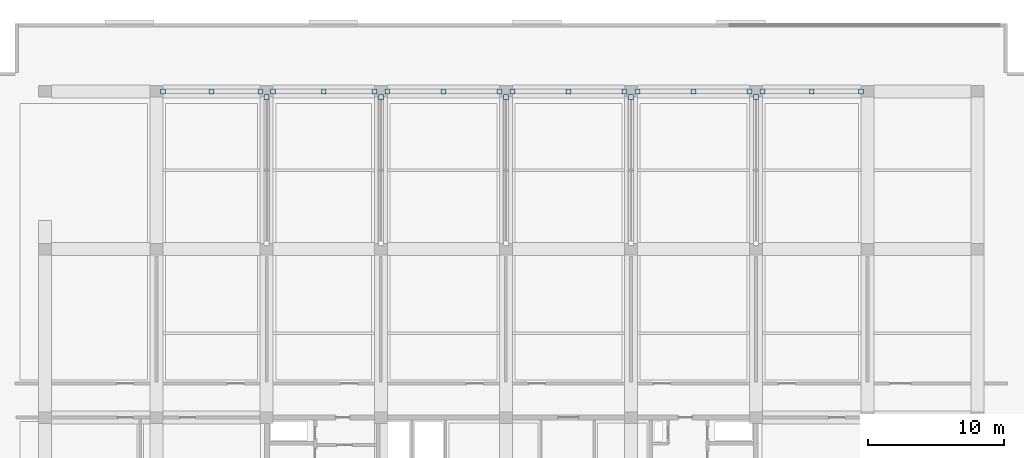
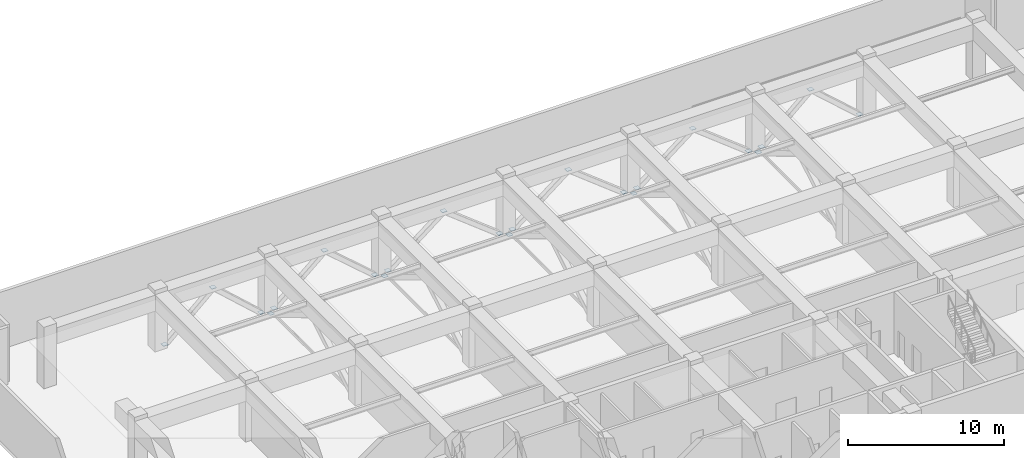
# One storey, part 6 of 22: 23 plates.
"""IFC4 building model written with IfcOpenShell, lengths in metres."""

import ifcopenshell
import ifcopenshell.guid

model = None  # the IFC model being written
_history = None  # IfcOwnerHistory: only IFC2X3 demands one
_inside = {}  # id of a spatial element -> (the spatial element, [elements in it])
_under = {}  # id of a project, library or spatial element -> (it, [spatial elements below it])
_declared = {}  # id of a project -> (the project, [libraries it declares])
_typed = {}  # id of a type object -> (the type object, [elements of that type])
_made_of = {}  # id of a material, layer set ... -> (it, [elements and type objects made of it])


def new_model(schema):
    """Start an empty IFC model of exactly this schema.

    Asked for "IFC4X3", IfcOpenShell would pick the latest addendum, in which some entities
    have other attributes; the version numbers below select the first issue.
    IFC2X3 requires an IfcOwnerHistory on every rooted entity: one is made here for all.
    """
    global model, _history
    if schema == "IFC4X3":
        model = ifcopenshell.file(schema_version=(4, 3, 0, 0))
    else:
        model = ifcopenshell.file(schema=schema)
    _inside.clear()
    _under.clear()
    _declared.clear()
    _typed.clear()
    _made_of.clear()
    _history = None
    if model.schema == "IFC2X3":
        org = make("IfcOrganization", Name="unknown")
        user = make(
            "IfcPersonAndOrganization",
            ThePerson=make("IfcPerson", FamilyName="unknown"),
            TheOrganization=org,
        )
        app = make(
            "IfcApplication",
            ApplicationDeveloper=org,
            Version="unknown",
            ApplicationFullName="unknown",
            ApplicationIdentifier="unknown",
        )
        _history = make(
            "IfcOwnerHistory",
            OwningUser=user,
            OwningApplication=app,
            ChangeAction="ADDED",
            CreationDate=0,
        )
    return model


def make(cls, **values):
    """One entity of the class cls with the attributes given. An attribute that is None is left unset."""
    return model.create_entity(
        cls, **{name: value for name, value in values.items() if value is not None}
    )


def rooted(cls, **values):
    """An entity with a GlobalId (a new one), such as an element, a storey or a relation."""
    return make(cls, GlobalId=ifcopenshell.guid.new(), OwnerHistory=_history, **values)


def si_unit(unit_type, name, prefix=None):
    """IfcSIUnit, for example si_unit("LENGTHUNIT", "METRE", prefix="MILLI")."""
    return make("IfcSIUnit", UnitType=unit_type, Prefix=prefix, Name=name)


def assignment(units):
    """IfcUnitAssignment: the units of a project."""
    return None if units is None else make("IfcUnitAssignment", Units=units)


def point(xyz):
    """IfcCartesianPoint."""
    return None if xyz is None else make("IfcCartesianPoint", Coordinates=xyz)


def direction(xyz):
    """IfcDirection."""
    return None if xyz is None else make("IfcDirection", DirectionRatios=xyz)


def frame(location, z_axis=None, x_axis=None):
    """IfcAxis2Placement3D, a coordinate frame: its origin and axes. An axis left out is left unset."""
    return make(
        "IfcAxis2Placement3D",
        Location=point(location),
        Axis=direction(z_axis),
        RefDirection=direction(x_axis),
    )


def frame_2d(location, x_axis=None):
    """IfcAxis2Placement2D, a coordinate frame in the plane: its origin and x axis."""
    return make(
        "IfcAxis2Placement2D", Location=point(location), RefDirection=direction(x_axis)
    )


def origin():
    """The frame at (0, 0, 0) with its axes left unset."""
    return frame((0.0, 0.0, 0.0))


def origin_2d():
    """The frame at (0, 0) in the plane with its x axis left unset."""
    return frame_2d((0.0, 0.0))


def place(relative_to, where):
    """IfcLocalPlacement: puts the frame where relative to a parent placement (None: the world)."""
    return make(
        "IfcLocalPlacement", PlacementRelTo=relative_to, RelativePlacement=where
    )


def context(
    kind, dimensions, precision=None, world=None, true_north=None, identifier=None
):
    """IfcGeometricRepresentationContext, for example the 3D "Model" context."""
    return make(
        "IfcGeometricRepresentationContext",
        ContextIdentifier=identifier,
        ContextType=kind,
        CoordinateSpaceDimension=dimensions,
        Precision=precision,
        WorldCoordinateSystem=world,
        TrueNorth=true_north,
    )


def subcontext(parent, identifier, kind, view, scale=None):
    """IfcGeometricRepresentationSubContext, for example "Body" below "Model"."""
    return make(
        "IfcGeometricRepresentationSubContext",
        ContextIdentifier=identifier,
        ContextType=kind,
        ParentContext=parent,
        TargetScale=scale,
        TargetView=view,
    )


def project(units=None, contexts=None):
    """IfcProject with its units and contexts."""
    return rooted(
        "IfcProject",
        Name="project",
        RepresentationContexts=contexts,
        UnitsInContext=assignment(units),
    )


def spatial(cls, under=None, at=None, **own):
    """A site, building, storey or space (cls), placed at a placement, below another one or the project."""
    s = rooted(cls, ObjectPlacement=at, **own)
    if under is not None:
        _under.setdefault(under.id(), (under, []))[1].append(s)
    return s


def profile(cls, at=None, kind="AREA", **sizes):
    """A parametric profile (cls). Its sizes go by their IFC names, for example OverallWidth=200.0."""
    return make(cls, ProfileType=kind, Position=at, **sizes)


def rectangle(**sizes):
    """IfcRectangleProfileDef."""
    return profile("IfcRectangleProfileDef", **sizes)


def extrude(swept, where, along, depth):
    """IfcExtrudedAreaSolid: the profile swept, set in the frame where, extruded along a direction by depth."""
    return make(
        "IfcExtrudedAreaSolid",
        SweptArea=swept,
        Position=where,
        ExtrudedDirection=direction(along),
        Depth=depth,
    )


def shape(context_of_items, identifier, shape_type, items):
    """IfcShapeRepresentation: the items that make up one representation, for example the "Body"."""
    return make(
        "IfcShapeRepresentation",
        ContextOfItems=context_of_items,
        RepresentationIdentifier=identifier,
        RepresentationType=shape_type,
        Items=items,
    )


def material(Name=None, Category=None):
    """IfcMaterial."""
    return make("IfcMaterial", Name=Name, Category=Category)


def layer(
    of_material, thickness, ventilated=None, Name=None, Category=None, Priority=None
):
    """IfcMaterialLayer: one layer of a wall or slab, of a material (None: an air gap)."""
    return make(
        "IfcMaterialLayer",
        Material=of_material,
        LayerThickness=thickness,
        IsVentilated=ventilated,
        Name=Name,
        Category=Category,
        Priority=Priority,
    )


def layer_set(layers, Name=None):
    """IfcMaterialLayerSet."""
    return make("IfcMaterialLayerSet", MaterialLayers=layers, LayerSetName=Name)


def made_of(thing, what):
    """Note that an element or type object is made of a material, layer set ...; save() writes the relation."""
    if what is not None:
        _made_of.setdefault(what.id(), (what, []))[1].append(thing)
    return thing


def type_object(cls, material=None, **own):
    """A type object (cls), such as IfcWallType, which elements share."""
    return made_of(rooted(cls, **own), material)


def element(
    cls,
    number,
    at=None,
    inside=None,
    cuts=None,
    type_object=None,
    material=None,
    context=None,
    identifier="Body",
    shape_type=None,
    held_by="IfcProductDefinitionShape",
    body=None,
    shapes=None,
    **own,
):
    """One element of the class cls, such as IfcWall. Its Tag is "e" and its number.

    at: its placement. inside: the storey or other place that contains it. cuts: it is an
    opening in that element (IfcRelVoidsElement). A single representation is given by context,
    identifier, shape_type and body (its items); several are given by shapes. held_by: the class
    of the entity that holds the representations. save() writes the other relations.
    """
    e = rooted(cls, Tag="e%d" % number, ObjectPlacement=at, **own)
    if body is not None:
        shapes = [shape(context, identifier, shape_type, body)]
    if shapes is not None:
        e.Representation = make(held_by, Representations=shapes)
    if inside is not None:
        _inside.setdefault(inside.id(), (inside, []))[1].append(e)
    if cuts is not None:
        rooted(
            "IfcRelVoidsElement", RelatingBuildingElement=cuts, RelatedOpeningElement=e
        )
    if type_object is not None:
        _typed.setdefault(type_object.id(), (type_object, []))[1].append(e)
    return made_of(e, material)


def aggregate(whole, parts):
    """IfcRelAggregates: a whole, such as a stair, and the parts it consists of."""
    return rooted("IfcRelAggregates", RelatingObject=whole, RelatedObjects=parts)


def save(model, path):
    """Write the relations noted so far, then the file.

    IfcRelAggregates (storeys below a building ...), IfcRelContainedInSpatialStructure (elements
    in a storey), IfcRelDefinesByType, IfcRelAssociatesMaterial and IfcRelDeclares: one each for
    every whole, place, type object, material and project.
    """
    for whole, parts in _under.values():
        aggregate(whole, parts)
    for where, things in _inside.values():
        rooted(
            "IfcRelContainedInSpatialStructure",
            RelatedElements=things,
            RelatingStructure=where,
        )
    for kind, things in _typed.values():
        rooted("IfcRelDefinesByType", RelatedObjects=things, RelatingType=kind)
    for what, things in _made_of.values():
        rooted("IfcRelAssociatesMaterial", RelatedObjects=things, RelatingMaterial=what)
    for by, libraries in _declared.values():
        rooted("IfcRelDeclares", RelatingContext=by, RelatedDefinitions=libraries)
    model.write(path)


model = new_model("IFC4")

# Units and contexts
model_context = context("Model", 3, precision=1e-05, world=origin(), true_north=direction((0.0, 1.0)))
body_context = subcontext(model_context, "Body", "Model", "MODEL_VIEW")
ifc_project = project(units=[si_unit("LENGTHUNIT", "METRE"), si_unit("AREAUNIT", "SQUARE_METRE"), si_unit("VOLUMEUNIT", "CUBIC_METRE"), si_unit("PLANEANGLEUNIT", "RADIAN"), si_unit("MASSUNIT", "GRAM", prefix="KILO")], contexts=[model_context])

# Site, building, storey
site_placement = place(None, origin())
site = spatial("IfcSite", under=ifc_project, at=site_placement, CompositionType="ELEMENT")
building_placement = place(site_placement, origin())
building = spatial("IfcBuilding", under=site, at=building_placement, Name="Korimba Cascade Residences", CompositionType="ELEMENT")
storey_placement = place(building_placement, frame((0.0, 0.0, 157.300048828125)))
storey = spatial("IfcBuildingStorey", under=building, at=storey_placement, Name="L45", CompositionType="ELEMENT", Elevation=157.300048828125)

# Plates
ifc_material = material(Name="Steel S460", Category="steel")
ifc_layer = layer(ifc_material, 0.028076171875)
ifc_layer_set = layer_set([ifc_layer], Name="Steel S460")
plate_type = type_object("IfcPlateType", Name="PLT-ENDCAP-28", PredefinedType="USERDEFINED", material=ifc_layer_set)
for number, where, z_axis, x_axis, name in (
    (1, (76.10009765625, 90.77490234375, 0.005859375), (0.0, 0.0, 1.0), (1.0, 0.0, 0.0), "L45 Brace Welded End Connection Plate 95"),
    (2, (84.5, 90.77490234375, 0.005859375), (0.0, 0.0, 1.0), (1.0, 0.0, 0.0), "L45 Brace Welded End Connection Plate 97"),
    (3, (93.699951171875, 90.77490234375, 0.005859375), (0.0, 0.0, 1.0), (1.0, 0.0, 0.0), "L45 Brace Welded End Connection Plate 99"),
    (4, (102.89990234375, 90.77490234375, 0.005859375), (0.0, 0.0, 1.0), (1.0, 0.0, 0.0), "L45 Brace Welded End Connection Plate 101"),
    (5, (112.10009765625, 90.77490234375, 0.005859375), (0.0, 0.0, 1.0), (1.0, 0.0, 0.0), "L45 Brace Welded End Connection Plate 103"),
    (6, (68.47509765625, 91.199951171875, 0.005859375), (0.0, 0.0, 1.0), (1.0, 0.0, 0.0), "L45 Brace Welded End Connection Plate 104"),
    (7, (72.050048828125, 91.199951171875, 3.2158203125), (0.0, 0.0, 1.0), (1.0, 0.0, 0.0), "L45 Brace Welded End Connection Plate 105"),
    (8, (75.625, 91.199951171875, 0.005859375), (0.0, 0.0, 1.0), (1.0, 0.0, 0.0), "L45 Brace Welded End Connection Plate 106"),
    (9, (76.574951171875, 91.199951171875, 0.005859375), (0.0, 0.0, 1.0), (1.0, 0.0, 0.0), "L45 Brace Welded End Connection Plate 107"),
    (10, (80.300048828125, 91.199951171875, 3.2158203125), (0.0, 0.0, 1.0), (1.0, 0.0, 0.0), "L45 Brace Welded End Connection Plate 108"),
    (11, (84.02490234375, 91.199951171875, 0.005859375), (0.0, 0.0, 1.0), (1.0, 0.0, 0.0), "L45 Brace Welded End Connection Plate 109"),
    (12, (84.97509765625, 91.199951171875, 0.005859375), (0.0, 0.0, 1.0), (1.0, 0.0, 0.0), "L45 Brace Welded End Connection Plate 110"),
    (13, (89.10009765625, 91.199951171875, 3.2158203125), (0.0, 0.0, 1.0), (1.0, 0.0, 0.0), "L45 Brace Welded End Connection Plate 111"),
    (14, (93.22509765625, 91.199951171875, 0.005859375), (0.0, 0.0, 1.0), (1.0, 0.0, 0.0), "L45 Brace Welded End Connection Plate 112"),
    (15, (94.175048828125, 91.199951171875, 0.005859375), (0.0, 0.0, 1.0), (1.0, 0.0, 0.0), "L45 Brace Welded End Connection Plate 113"),
    (16, (98.300048828125, 91.199951171875, 3.2158203125), (0.0, 0.0, 1.0), (1.0, 0.0, 0.0), "L45 Brace Welded End Connection Plate 114"),
    (17, (102.425048828125, 91.199951171875, 0.005859375), (0.0, 0.0, 1.0), (1.0, 0.0, 0.0), "L45 Brace Welded End Connection Plate 115"),
    (18, (103.375, 91.199951171875, 0.005859375), (0.0, 0.0, 1.0), (1.0, 0.0, 0.0), "L45 Brace Welded End Connection Plate 116"),
    (19, (107.5, 91.199951171875, 3.2158203125), (0.0, 0.0, 1.0), (1.0, 0.0, 0.0), "L45 Brace Welded End Connection Plate 117"),
    (20, (111.625, 91.199951171875, 0.005859375), (0.0, 0.0, 1.0), (1.0, 0.0, 0.0), "L45 Brace Welded End Connection Plate 118"),
    (21, (112.574951171875, 91.199951171875, 0.005859375), (0.0, 0.0, 1.0), (1.0, 0.0, 0.0), "L45 Brace Welded End Connection Plate 119"),
    (22, (116.199951171875, 91.199951171875, 3.2158203125), (0.0, 0.0, 1.0), (1.0, 0.0, 0.0), "L45 Brace Welded End Connection Plate 120"),
    (23, (119.824951171875, 91.199951171875, 0.005859375), (0.0, 0.0, 1.0), (1.0, 0.0, 0.0), "L45 Brace Welded End Connection Plate 121"),
):
    element("IfcPlate", number, at=place(storey_placement, frame(where, z_axis=z_axis, x_axis=x_axis)), inside=storey, type_object=plate_type, Name=name, ObjectType="CAP PLATE", PredefinedType="USERDEFINED", context=body_context, shape_type="SweptSolid", body=[
        extrude(rectangle(XDim=0.360107421875, YDim=0.360107421875, at=origin_2d()), origin(), (0.0, 0.0, 1.0), 0.028076171875),
    ])

save(model, "model.ifc")
